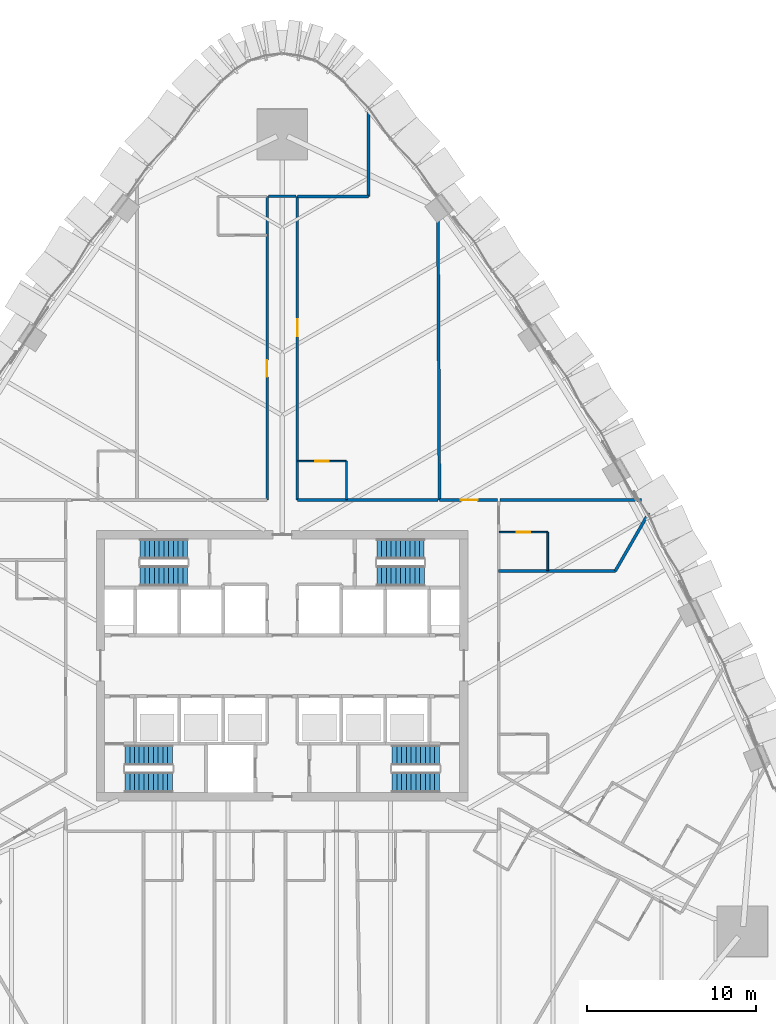
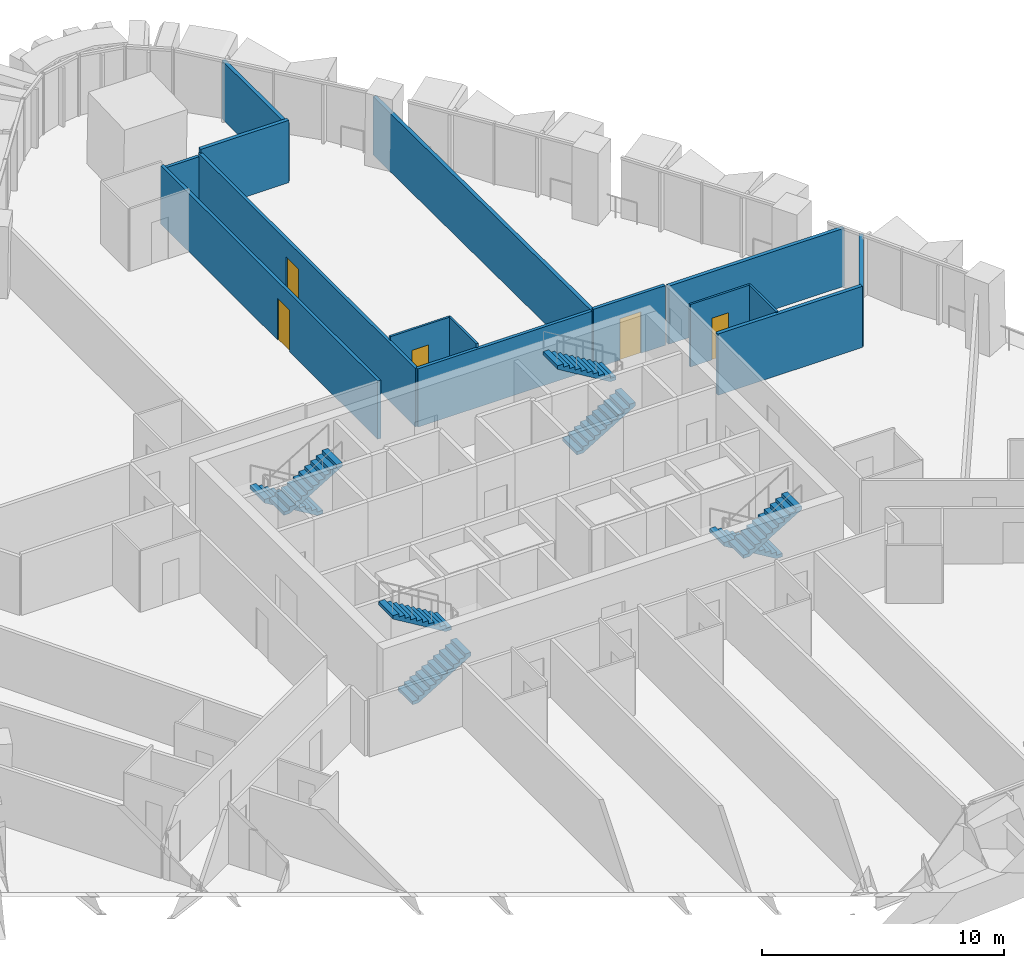
# One storey, part 19 of 27: 15 walls, 8 stair flights, 5 doors, 5 openings, 4 elements without a shape of their own.
"""IFC4 building model written with IfcOpenShell, lengths in metres."""

from ifc_helpers import new_model, si_unit, direction, frame, frame_2d, origin, place, context, subcontext, project, spatial, polyline, rectangle, outline, extrude, material, layer, layer_set, type_object, element, fill, aggregate, save


model = new_model("IFC4")

# Units and contexts
model_context = context("Model", 3, precision=1e-05, world=origin(), true_north=direction((0.0, 1.0)))
body_context = subcontext(model_context, "Body", "Model", "MODEL_VIEW")
ifc_project = project(units=[si_unit("LENGTHUNIT", "METRE"), si_unit("AREAUNIT", "SQUARE_METRE"), si_unit("VOLUMEUNIT", "CUBIC_METRE"), si_unit("PLANEANGLEUNIT", "RADIAN"), si_unit("MASSUNIT", "GRAM", prefix="KILO")], contexts=[model_context])

# Site, building, storey
site_placement = place(None, origin())
site = spatial("IfcSite", under=ifc_project, at=site_placement, CompositionType="ELEMENT")
building_placement = place(site_placement, origin())
building = spatial("IfcBuilding", under=site, at=building_placement, Name="Sierra Prisma Convention Tower", CompositionType="ELEMENT")
storey_placement = place(building_placement, frame((0.0, 0.0, 48.0)))
storey = spatial("IfcBuildingStorey", under=building, at=storey_placement, Name="L07", CompositionType="ELEMENT", Elevation=48.0)

# Wall, opening, door
ifc_material_1 = material(Name="Gypsum board partition", Category="gypsum")
ifc_layer_1 = layer(ifc_material_1, 0.10009765625)
ifc_layer_set_1 = layer_set([ifc_layer_1], Name="Bathroom partition 100")
wall_type_1 = type_object("IfcWallType", Name="Bathroom partition 100", PredefinedType="PARTITIONING", material=ifc_layer_set_1)
wall_1_placement = place(storey_placement, frame((0.929931640625, 12.10009765625, 0.0), z_axis=(0.0, 0.0, 1.0), x_axis=(1.0, 0.0, 0.0)))
wall_1 = element("IfcWall", 1, at=wall_1_placement, inside=storey, type_object=wall_type_1, Name="Partition L07 bath 23", PredefinedType="PARTITIONING", context=body_context, shape_type="SweptSolid", body=[
    extrude(rectangle(XDim=2.8701171875, YDim=0.10009765625, at=frame_2d((1.43505859375, 0.0))), origin(), (0.0, 0.0, 1.0), 3.14990234375),
])
opening_1_placement = place(wall_1_placement, frame((1.034912109375, 0.0, 0.0)))
opening_1 = element("IfcOpeningElement", 2, at=opening_1_placement, cuts=wall_1, Name="Opening L07-D003", PredefinedType="OPENING", context=body_context, shape_type="SweptSolid", body=[
    extrude(rectangle(XDim=0.800048828125, YDim=2.10009765625, at=frame_2d((0.39990234375, 1.050048828125))), frame((0.0, 0.050048828125, 0.0), z_axis=(0.0, -1.0, 0.0), x_axis=(1.0, 0.0, 0.0)), (0.0, 0.0, 1.0), 0.10009765625),
])
ifc_material_2 = material(Name="Solid core timber door leaf", Category="wood")
door_type_1 = type_object("IfcDoorType", Name="Door 800x2100 plain", OperationType="SINGLE_SWING_LEFT", PredefinedType="DOOR", material=ifc_material_2)
door_1_placement = place(opening_1_placement, origin())
door_1 = element("IfcDoor", 3, at=door_1_placement, inside=storey, type_object=door_type_1, Name="Door L07 7", OperationType="SINGLE_SWING_LEFT", OverallHeight=2.10009765625, OverallWidth=0.800048828125, PredefinedType="DOOR", context=body_context, shape_type="SweptSolid", body=[
    extrude(rectangle(XDim=0.800048828125, YDim=2.10009765625, at=frame_2d((0.39990234375, 1.050048828125))), frame((0.0, 0.02490234375, 0.0), z_axis=(0.0, -1.0, 0.0), x_axis=(1.0, 0.0, 0.0)), (0.0, 0.0, 1.0), 0.050048828125),
])
fill(opening_1, door_1)

# Wall
wall_2_placement = place(storey_placement, frame((3.800048828125, 12.10009765625, 0.0), z_axis=(0.0, 0.0, 1.0), x_axis=(0.0, -1.0, 0.0)))
element("IfcWall", 4, at=wall_2_placement, inside=storey, type_object=wall_type_1, Name="Partition L07 bath 24", PredefinedType="PARTITIONING", context=body_context, shape_type="SweptSolid", body=[
    extrude(rectangle(XDim=2.27001953125, YDim=0.10009765625, at=frame_2d((1.135009765625, 0.0))), origin(), (0.0, 0.0, 1.0), 3.14990234375),
])

# Wall, opening, door
wall_3_placement = place(storey_placement, frame((12.830078125, 7.89990234375, 0.0), z_axis=(0.0, 0.0, 1.0), x_axis=(1.0, 0.0, 0.0)))
wall_3 = element("IfcWall", 5, at=wall_3_placement, inside=storey, type_object=wall_type_1, Name="Partition L07 bath 33", PredefinedType="PARTITIONING", context=body_context, shape_type="SweptSolid", body=[
    extrude(rectangle(XDim=2.869873046875, YDim=0.10009765625, at=frame_2d((1.43505859375, 0.0))), origin(), (0.0, 0.0, 1.0), 3.14990234375),
])
opening_2_placement = place(wall_3_placement, frame((1.034912109375, 0.0, 0.0)))
opening_2 = element("IfcOpeningElement", 6, at=opening_2_placement, cuts=wall_3, Name="Opening L07-D002", PredefinedType="OPENING", context=body_context, shape_type="SweptSolid", body=[
    extrude(rectangle(XDim=0.800048828125, YDim=2.10009765625, at=frame_2d((0.39990234375, 1.050048828125))), frame((0.0, 0.050048828125, 0.0), z_axis=(0.0, -1.0, 0.0), x_axis=(1.0, 0.0, 0.0)), (0.0, 0.0, 1.0), 0.10009765625),
])
door_2_placement = place(opening_2_placement, origin())
door_2 = element("IfcDoor", 7, at=door_2_placement, inside=storey, type_object=door_type_1, Name="Door L07 4", OperationType="SINGLE_SWING_RIGHT", OverallHeight=2.10009765625, OverallWidth=0.800048828125, PredefinedType="DOOR", context=body_context, shape_type="SweptSolid", body=[
    extrude(rectangle(XDim=0.800048828125, YDim=2.10009765625, at=frame_2d((0.39990234375, 1.050048828125))), frame((0.0, 0.02490234375, 0.0), z_axis=(0.0, -1.0, 0.0), x_axis=(1.0, 0.0, 0.0)), (0.0, 0.0, 1.0), 0.050048828125),
])
fill(opening_2, door_2)

# Wall
wall_4_placement = place(storey_placement, frame((15.699951171875, 7.89990234375, 0.0), z_axis=(0.0, 0.0, 1.0), x_axis=(0.0, -1.0, 0.0)))
element("IfcWall", 8, at=wall_4_placement, inside=storey, type_object=wall_type_1, Name="Partition L07 bath 34", PredefinedType="PARTITIONING", context=body_context, shape_type="SweptSolid", body=[
    extrude(rectangle(XDim=2.27001953125, YDim=0.10009765625, at=frame_2d((1.135009765625, 0.0))), origin(), (0.0, 0.0, 1.0), 3.14990234375),
])

# Wall, opening, door
ifc_material_3 = material(Name="Gypsum board partition", Category="gypsum")
ifc_layer_2 = layer(ifc_material_3, 0.14990234375)
ifc_layer_set_2 = layer_set([ifc_layer_2], Name="Corridor wall 150 gypsum EI 60")
wall_type_2 = type_object("IfcWallType", Name="Corridor wall 150 gypsum EI 60", PredefinedType="PARTITIONING", material=ifc_layer_set_2)
wall_5_placement = place(storey_placement, frame((-0.89990234375, 27.756103515625, 0.0), z_axis=(0.0, 0.0, 1.0), x_axis=(0.0, -1.0, 0.0)))
wall_5 = element("IfcWall", 9, at=wall_5_placement, inside=storey, type_object=wall_type_2, Name="Partition L07 corr 8", PredefinedType="PARTITIONING", context=body_context, shape_type="SweptSolid", body=[
    extrude(rectangle(XDim=17.9560546875, YDim=0.14990234375, at=frame_2d((8.97802734375, 0.0))), origin(), (0.0, 0.0, 1.0), 2.947021484375),
])
opening_3_placement = place(wall_5_placement, frame((9.677978515625, 0.0, 0.0)))
opening_3 = element("IfcOpeningElement", 10, at=opening_3_placement, cuts=wall_5, Name="Opening L07-D043", PredefinedType="OPENING", context=body_context, shape_type="SweptSolid", body=[
    extrude(rectangle(XDim=1.0, YDim=2.10009765625, at=frame_2d((0.5, 1.050048828125))), frame((0.0, 0.074951171875, 0.0), z_axis=(0.0, -1.0, 0.0), x_axis=(1.0, 0.0, 0.0)), (0.0, 0.0, 1.0), 0.14990234375),
])
ifc_material_4 = material(Name="Steel fire door leaf", Category="steel")
door_type_2 = type_object("IfcDoorType", Name="Door 1000x2100 FD30S", OperationType="SINGLE_SWING_LEFT", PredefinedType="DOOR", material=ifc_material_4)
door_3_placement = place(opening_3_placement, origin())
door_3 = element("IfcDoor", 11, at=door_3_placement, inside=storey, type_object=door_type_2, Name="Door L07 8", OperationType="SINGLE_SWING_RIGHT", OverallHeight=2.10009765625, OverallWidth=1.0, PredefinedType="DOOR", context=body_context, shape_type="SweptSolid", body=[
    extrude(rectangle(XDim=1.0, YDim=2.10009765625, at=frame_2d((0.5, 1.050048828125))), frame((0.0, 0.02490234375, 0.0), z_axis=(0.0, -1.0, 0.0), x_axis=(1.0, 0.0, 0.0)), (0.0, 0.0, 1.0), 0.050048828125),
])
fill(opening_3, door_3)

# Walls
wall_6_placement = place(storey_placement, frame((0.820068359375, 27.756103515625, 0.0), z_axis=(0.0, 0.0, 1.0), x_axis=(-1.0, 0.0, 0.0)))
element("IfcWall", 12, at=wall_6_placement, inside=storey, type_object=wall_type_2, Name="Partition L07 corr 10", PredefinedType="PARTITIONING", context=body_context, shape_type="SweptSolid", body=[
    extrude(rectangle(XDim=1.64013671875, YDim=0.14990234375, at=frame_2d((0.820068359375, 0.0))), origin(), (0.0, 0.0, 1.0), 2.797119140625),
])
wall_7_placement = place(storey_placement, frame((9.219970703125, 9.800048828125, 0.0), z_axis=(0.0, 0.0, 1.0), x_axis=(-1.0, 0.0, 0.0)))
element("IfcWall", 13, at=wall_7_placement, inside=storey, type_object=wall_type_2, Name="Partition L07 corr 11", PredefinedType="PARTITIONING", context=body_context, shape_type="SweptSolid", body=[
    extrude(rectangle(XDim=8.320068359375, YDim=0.14990234375, at=frame_2d((4.16015625, 0.0))), origin(), (0.0, 0.0, 1.0), 2.947021484375),
])

# Wall, opening, door
wall_8_placement = place(storey_placement, frame((0.89990234375, 9.800048828125, 0.0), z_axis=(0.0, 0.0, 1.0), x_axis=(0.0, 1.0, 0.0)))
wall_8 = element("IfcWall", 14, at=wall_8_placement, inside=storey, type_object=wall_type_2, Name="Partition L07 corr 12", PredefinedType="PARTITIONING", context=body_context, shape_type="SweptSolid", body=[
    extrude(rectangle(XDim=17.9560546875, YDim=0.14990234375, at=frame_2d((8.97802734375, 0.0))), origin(), (0.0, 0.0, 1.0), 2.947021484375),
])
opening_4_placement = place(wall_8_placement, frame((9.677978515625, 0.0, 0.0)))
opening_4 = element("IfcOpeningElement", 15, at=opening_4_placement, cuts=wall_8, Name="Opening L07-D042", PredefinedType="OPENING", context=body_context, shape_type="SweptSolid", body=[
    extrude(rectangle(XDim=1.0, YDim=2.10009765625, at=frame_2d((0.5, 1.050048828125))), frame((0.0, 0.074951171875, 0.0), z_axis=(0.0, -1.0, 0.0), x_axis=(1.0, 0.0, 0.0)), (0.0, 0.0, 1.0), 0.14990234375),
])
door_4_placement = place(opening_4_placement, origin())
door_4 = element("IfcDoor", 16, at=door_4_placement, inside=storey, type_object=door_type_2, Name="Door L07 6", OperationType="SINGLE_SWING_LEFT", OverallHeight=2.10009765625, OverallWidth=1.0, PredefinedType="DOOR", context=body_context, shape_type="SweptSolid", body=[
    extrude(rectangle(XDim=1.0, YDim=2.10009765625, at=frame_2d((0.5, 1.050048828125))), frame((0.0, 0.02490234375, 0.0), z_axis=(0.0, -1.0, 0.0), x_axis=(1.0, 0.0, 0.0)), (0.0, 0.0, 1.0), 0.050048828125),
])
fill(opening_4, door_4)

wall_9_placement = place(storey_placement, frame((12.719970703125, 9.800048828125, 0.0), z_axis=(0.0, 0.0, 1.0), x_axis=(-1.0, 0.0, 0.0)))
wall_9 = element("IfcWall", 17, at=wall_9_placement, inside=storey, type_object=wall_type_2, Name="Partition L07 corr 13", PredefinedType="PARTITIONING", context=body_context, shape_type="SweptSolid", body=[
    extrude(rectangle(XDim=3.419921875, YDim=0.14990234375, at=frame_2d((1.7099609375, 0.0))), origin(), (0.0, 0.0, 1.0), 3.01708984375),
])
opening_5_placement = place(wall_9_placement, frame((1.159912109375, 0.0, 0.0)))
opening_5 = element("IfcOpeningElement", 18, at=opening_5_placement, cuts=wall_9, Name="Opening L07-D041", PredefinedType="OPENING", context=body_context, shape_type="SweptSolid", body=[
    extrude(rectangle(XDim=1.0, YDim=2.10009765625, at=frame_2d((0.5, 1.050048828125))), frame((0.0, 0.074951171875, 0.0), z_axis=(0.0, -1.0, 0.0), x_axis=(1.0, 0.0, 0.0)), (0.0, 0.0, 1.0), 0.14990234375),
])
door_5_placement = place(opening_5_placement, origin())
door_5 = element("IfcDoor", 19, at=door_5_placement, inside=storey, type_object=door_type_2, Name="Door L07 5", OperationType="SINGLE_SWING_RIGHT", OverallHeight=2.10009765625, OverallWidth=1.0, PredefinedType="DOOR", context=body_context, shape_type="SweptSolid", body=[
    extrude(rectangle(XDim=1.0, YDim=2.10009765625, at=frame_2d((0.5, 1.050048828125))), frame((0.0, 0.02490234375, 0.0), z_axis=(0.0, -1.0, 0.0), x_axis=(1.0, 0.0, 0.0)), (0.0, 0.0, 1.0), 0.050048828125),
])
fill(opening_5, door_5)

# Walls
ifc_material_5 = material(Name="Acoustic gypsum board partition", Category="gypsum")
ifc_layer_3 = layer(ifc_material_5, 0.175048828125)
ifc_layer_set_3 = layer_set([ifc_layer_3], Name="Guest room party wall 175 acoustic EI 60")
wall_type_3 = type_object("IfcWallType", Name="Guest room party wall 175 acoustic EI 60", PredefinedType="PARTITIONING", material=ifc_layer_set_3)
wall_10_placement = place(storey_placement, frame((0.89990234375, 27.756103515625, 0.0), z_axis=(0.0, 0.0, 1.0), x_axis=(1.0, 0.0, 0.0)))
element("IfcWall", 20, at=wall_10_placement, inside=storey, type_object=wall_type_3, Name="Partition L07 hparty 14", PredefinedType="PARTITIONING", context=body_context, shape_type="SweptSolid", body=[
    extrude(rectangle(XDim=4.2001953125, YDim=0.175048828125, at=frame_2d((2.10009765625, 0.0))), origin(), (0.0, 0.0, 1.0), 3.14990234375),
])
wall_11_placement = place(storey_placement, frame((5.10009765625, 27.756103515625, 0.0), z_axis=(0.0, 0.0, 1.0), x_axis=(0.0, 1.0, 0.0)))
element("IfcWall", 21, at=wall_11_placement, inside=storey, type_object=wall_type_3, Name="Partition L07 hparty 15", PredefinedType="PARTITIONING", context=body_context, shape_type="SweptSolid", body=[
    extrude(rectangle(XDim=5.30615234375, YDim=0.175048828125, at=frame_2d((2.653076171875, 0.0))), origin(), (0.0, 0.0, 1.0), 2.93408203125),
])
wall_12_placement = place(storey_placement, frame((9.20556640625, 27.666748046875, 0.0), z_axis=(0.0, 0.0, 1.0), x_axis=(0.005288111679, -0.99998601784, 0.0)))
element("IfcWall", 22, at=wall_12_placement, inside=storey, type_object=wall_type_3, Name="Partition L07 hparty 18", PredefinedType="PARTITIONING", context=body_context, shape_type="SweptSolid", body=[
    extrude(rectangle(XDim=17.866943359375, YDim=0.175048828125, at=frame_2d((8.93359375, 0.0))), origin(), (0.0, 0.0, 1.0), 2.947021484375),
])
wall_13_placement = place(storey_placement, frame((12.800048828125, 5.60009765625, 0.0), z_axis=(0.0, 0.0, 1.0), x_axis=(1.0, 0.0, 0.0)))
element("IfcWall", 23, at=wall_13_placement, inside=storey, type_object=wall_type_3, Name="Partition L07 hparty 21", PredefinedType="PARTITIONING", context=body_context, shape_type="SweptSolid", body=[
    extrude(rectangle(XDim=6.899658203125, YDim=0.175048828125, at=frame_2d((3.44970703125, 0.0))), origin(), (0.0, 0.0, 1.0), 3.093017578125),
])
wall_14_placement = place(storey_placement, frame((19.69970703125, 5.60009765625, 0.0), z_axis=(0.0, 0.0, 1.0), x_axis=(0.500045167768, 0.865999324591, 0.0)))
element("IfcWall", 24, at=wall_14_placement, inside=storey, type_object=wall_type_3, Name="Partition L07 hparty 22", PredefinedType="PARTITIONING", context=body_context, shape_type="SweptSolid", body=[
    extrude(rectangle(XDim=3.972900390625, YDim=0.175048828125, at=frame_2d((1.986328125, 0.0))), origin(), (0.0, 0.0, 1.0), 2.93408203125),
])
wall_15_placement = place(storey_placement, frame((12.8798828125, 9.800048828125, 0.0), z_axis=(0.0, 0.0, 1.0), x_axis=(1.0, 0.0, 0.0)))
element("IfcWall", 25, at=wall_15_placement, inside=storey, type_object=wall_type_3, Name="Partition L07 hparty 23", PredefinedType="PARTITIONING", context=body_context, shape_type="SweptSolid", body=[
    extrude(rectangle(XDim=8.384521484375, YDim=0.175048828125, at=frame_2d((4.1923828125, 0.0))), origin(), (0.0, 0.0, 1.0), 2.93408203125),
])

# Stair, stair flights
ifc_material_6 = material(Name="Concrete C30/37", Category="concrete")
stair_type = type_object("IfcStairType", Name="Stair dog-leg 1200 RC", PredefinedType="HALF_TURN_STAIR", material=ifc_material_6)
stair_1_placement = place(storey_placement, origin())
stair_1 = element("IfcStair", 26, at=stair_1_placement, inside=storey, type_object=stair_type, Name="L07 S1", PredefinedType="HALF_TURN_STAIR")
ifc_material_7 = material(Name="Concrete C30/37", Category="concrete")
stair_flight_type = type_object("IfcStairFlightType", Name="Stair flight RC 1200", PredefinedType="STRAIGHT", material=ifc_material_7)
stair_flight_1_placement = place(storey_placement, frame((-9.300048828125, -6.89990234375, 0.0), z_axis=(0.0, 0.0, 1.0), x_axis=(1.0, 0.0, 0.0)))
stair_flight_1 = element("IfcStairFlight", 27, at=stair_flight_1_placement, type_object=stair_flight_type, Name="S1 flight 1", NumberOfRisers=11, NumberOfTreads=10, PredefinedType="STRAIGHT", RiserHeight=0.168181818, TreadLength=0.28, context=body_context, shape_type="SweptSolid", body=[
    extrude(outline(polyline([(0.0, 0.0), (0.0, 0.168212890625), (0.280029296875, 0.168212890625), (0.280029296875, 0.33642578125), (0.56005859375, 0.33642578125), (0.56005859375, 0.504638671875), (0.840087890625, 0.504638671875), (0.840087890625, 0.672607421875), (1.1201171875, 0.672607421875), (1.1201171875, 0.8408203125), (1.39990234375, 0.8408203125), (1.39990234375, 1.009033203125), (1.679931640625, 1.009033203125), (1.679931640625, 1.17724609375), (1.9599609375, 1.17724609375), (1.9599609375, 1.345458984375), (2.239990234375, 1.345458984375), (2.239990234375, 1.513671875), (2.52001953125, 1.513671875), (2.52001953125, 1.681884765625), (2.800048828125, 1.681884765625), (2.800048828125, 1.85009765625), (2.800048828125, 1.5068359375), (0.291015625, 0.0), (0.0, 0.0)])), frame((0.0, 0.60009765625, 0.0), z_axis=(0.0, -1.0, 0.0), x_axis=(1.0, 0.0, 0.0)), (0.0, 0.0, 1.0), 1.199951171875),
])
stair_flight_2_placement = place(storey_placement, frame((-6.5, -5.300048828125, 1.85009765625), z_axis=(0.0, 0.0, 1.0), x_axis=(-1.0, 0.0, 0.0)))
stair_flight_2 = element("IfcStairFlight", 28, at=stair_flight_2_placement, type_object=stair_flight_type, Name="S1 flight 2", NumberOfRisers=11, NumberOfTreads=10, PredefinedType="STRAIGHT", RiserHeight=0.168181818, TreadLength=0.28, context=body_context, shape_type="SweptSolid", body=[
    extrude(outline(polyline([(0.0, 0.0), (0.0, 0.168212890625), (0.280029296875, 0.168212890625), (0.280029296875, 0.33642578125), (0.56005859375, 0.33642578125), (0.56005859375, 0.504638671875), (0.840087890625, 0.504638671875), (0.840087890625, 0.672607421875), (1.1201171875, 0.672607421875), (1.1201171875, 0.8408203125), (1.39990234375, 0.8408203125), (1.39990234375, 1.009033203125), (1.679931640625, 1.009033203125), (1.679931640625, 1.17724609375), (1.9599609375, 1.17724609375), (1.9599609375, 1.345458984375), (2.239990234375, 1.345458984375), (2.239990234375, 1.513671875), (2.52001953125, 1.513671875), (2.52001953125, 1.681884765625), (2.800048828125, 1.681884765625), (2.800048828125, 1.85009765625), (2.800048828125, 1.5068359375), (0.291015625, 0.0), (0.0, 0.0)])), frame((0.0, 0.60009765625, 0.0), z_axis=(0.0, -1.0, 0.0), x_axis=(1.0, 0.0, 0.0)), (0.0, 0.0, 1.0), 1.199951171875),
])
aggregate(stair_1, [stair_flight_1, stair_flight_2])

stair_2_placement = place(storey_placement, origin())
stair_2 = element("IfcStair", 29, at=stair_2_placement, inside=storey, type_object=stair_type, Name="L07 S2", PredefinedType="HALF_TURN_STAIR")
stair_flight_3_placement = place(storey_placement, frame((9.300048828125, -5.300048828125, 0.0), z_axis=(0.0, 0.0, 1.0), x_axis=(-1.0, 0.0, 0.0)))
stair_flight_3 = element("IfcStairFlight", 30, at=stair_flight_3_placement, type_object=stair_flight_type, Name="S2 flight 1", NumberOfRisers=11, NumberOfTreads=10, PredefinedType="STRAIGHT", RiserHeight=0.168181818, TreadLength=0.28, context=body_context, shape_type="SweptSolid", body=[
    extrude(outline(polyline([(0.0, 0.0), (0.0, 0.168212890625), (0.280029296875, 0.168212890625), (0.280029296875, 0.33642578125), (0.56005859375, 0.33642578125), (0.56005859375, 0.504638671875), (0.840087890625, 0.504638671875), (0.840087890625, 0.672607421875), (1.1201171875, 0.672607421875), (1.1201171875, 0.8408203125), (1.39990234375, 0.8408203125), (1.39990234375, 1.009033203125), (1.679931640625, 1.009033203125), (1.679931640625, 1.17724609375), (1.9599609375, 1.17724609375), (1.9599609375, 1.345458984375), (2.239990234375, 1.345458984375), (2.239990234375, 1.513671875), (2.52001953125, 1.513671875), (2.52001953125, 1.681884765625), (2.800048828125, 1.681884765625), (2.800048828125, 1.85009765625), (2.800048828125, 1.5068359375), (0.291015625, 0.0), (0.0, 0.0)])), frame((0.0, 0.60009765625, 0.0), z_axis=(0.0, -1.0, 0.0), x_axis=(1.0, 0.0, 0.0)), (0.0, 0.0, 1.0), 1.199951171875),
])
stair_flight_4_placement = place(storey_placement, frame((6.5, -6.89990234375, 1.85009765625), z_axis=(0.0, 0.0, 1.0), x_axis=(1.0, 0.0, 0.0)))
stair_flight_4 = element("IfcStairFlight", 31, at=stair_flight_4_placement, type_object=stair_flight_type, Name="S2 flight 2", NumberOfRisers=11, NumberOfTreads=10, PredefinedType="STRAIGHT", RiserHeight=0.168181818, TreadLength=0.28, context=body_context, shape_type="SweptSolid", body=[
    extrude(outline(polyline([(0.0, 0.0), (0.0, 0.168212890625), (0.280029296875, 0.168212890625), (0.280029296875, 0.33642578125), (0.56005859375, 0.33642578125), (0.56005859375, 0.504638671875), (0.840087890625, 0.504638671875), (0.840087890625, 0.672607421875), (1.1201171875, 0.672607421875), (1.1201171875, 0.8408203125), (1.39990234375, 0.8408203125), (1.39990234375, 1.009033203125), (1.679931640625, 1.009033203125), (1.679931640625, 1.17724609375), (1.9599609375, 1.17724609375), (1.9599609375, 1.345458984375), (2.239990234375, 1.345458984375), (2.239990234375, 1.513671875), (2.52001953125, 1.513671875), (2.52001953125, 1.681884765625), (2.800048828125, 1.681884765625), (2.800048828125, 1.85009765625), (2.800048828125, 1.5068359375), (0.291015625, 0.0), (0.0, 0.0)])), frame((0.0, 0.60009765625, 0.0), z_axis=(0.0, -1.0, 0.0), x_axis=(1.0, 0.0, 0.0)), (0.0, 0.0, 1.0), 1.199951171875),
])
aggregate(stair_2, [stair_flight_3, stair_flight_4])

stair_3_placement = place(storey_placement, origin())
stair_3 = element("IfcStair", 32, at=stair_3_placement, inside=storey, type_object=stair_type, Name="L07 S3", PredefinedType="HALF_TURN_STAIR")
stair_flight_5_placement = place(storey_placement, frame((-5.60009765625, 6.89990234375, 0.0), z_axis=(0.0, 0.0, 1.0), x_axis=(-1.0, 0.0, 0.0)))
stair_flight_5 = element("IfcStairFlight", 33, at=stair_flight_5_placement, type_object=stair_flight_type, Name="S3 flight 1", NumberOfRisers=11, NumberOfTreads=10, PredefinedType="STRAIGHT", RiserHeight=0.168181818, TreadLength=0.28, context=body_context, shape_type="SweptSolid", body=[
    extrude(outline(polyline([(0.0, 0.0), (0.0, 0.168212890625), (0.280029296875, 0.168212890625), (0.280029296875, 0.33642578125), (0.56005859375, 0.33642578125), (0.56005859375, 0.504638671875), (0.840087890625, 0.504638671875), (0.840087890625, 0.672607421875), (1.1201171875, 0.672607421875), (1.1201171875, 0.8408203125), (1.39990234375, 0.8408203125), (1.39990234375, 1.009033203125), (1.679931640625, 1.009033203125), (1.679931640625, 1.17724609375), (1.9599609375, 1.17724609375), (1.9599609375, 1.345458984375), (2.239990234375, 1.345458984375), (2.239990234375, 1.513671875), (2.52001953125, 1.513671875), (2.52001953125, 1.681884765625), (2.800048828125, 1.681884765625), (2.800048828125, 1.85009765625), (2.800048828125, 1.5068359375), (0.291015625, 0.0), (0.0, 0.0)])), frame((0.0, 0.60009765625, 0.0), z_axis=(0.0, -1.0, 0.0), x_axis=(1.0, 0.0, 0.0)), (0.0, 0.0, 1.0), 1.199951171875),
])
stair_flight_6_placement = place(storey_placement, frame((-8.39990234375, 5.300048828125, 1.85009765625), z_axis=(0.0, 0.0, 1.0), x_axis=(1.0, 0.0, 0.0)))
stair_flight_6 = element("IfcStairFlight", 34, at=stair_flight_6_placement, type_object=stair_flight_type, Name="S3 flight 2", NumberOfRisers=11, NumberOfTreads=10, PredefinedType="STRAIGHT", RiserHeight=0.168181818, TreadLength=0.28, context=body_context, shape_type="SweptSolid", body=[
    extrude(outline(polyline([(0.0, 0.0), (0.0, 0.168212890625), (0.280029296875, 0.168212890625), (0.280029296875, 0.33642578125), (0.56005859375, 0.33642578125), (0.56005859375, 0.504638671875), (0.840087890625, 0.504638671875), (0.840087890625, 0.672607421875), (1.1201171875, 0.672607421875), (1.1201171875, 0.8408203125), (1.39990234375, 0.8408203125), (1.39990234375, 1.009033203125), (1.679931640625, 1.009033203125), (1.679931640625, 1.17724609375), (1.9599609375, 1.17724609375), (1.9599609375, 1.345458984375), (2.239990234375, 1.345458984375), (2.239990234375, 1.513671875), (2.52001953125, 1.513671875), (2.52001953125, 1.681884765625), (2.800048828125, 1.681884765625), (2.800048828125, 1.85009765625), (2.800048828125, 1.5068359375), (0.291015625, 0.0), (0.0, 0.0)])), frame((0.0, 0.60009765625, 0.0), z_axis=(0.0, -1.0, 0.0), x_axis=(1.0, 0.0, 0.0)), (0.0, 0.0, 1.0), 1.199951171875),
])
aggregate(stair_3, [stair_flight_5, stair_flight_6])

stair_4_placement = place(storey_placement, origin())
stair_4 = element("IfcStair", 35, at=stair_4_placement, inside=storey, type_object=stair_type, Name="L07 S4", PredefinedType="HALF_TURN_STAIR")
stair_flight_7_placement = place(storey_placement, frame((5.60009765625, 5.300048828125, 0.0), z_axis=(0.0, 0.0, 1.0), x_axis=(1.0, 0.0, 0.0)))
stair_flight_7 = element("IfcStairFlight", 36, at=stair_flight_7_placement, type_object=stair_flight_type, Name="S4 flight 1", NumberOfRisers=11, NumberOfTreads=10, PredefinedType="STRAIGHT", RiserHeight=0.168181818, TreadLength=0.28, context=body_context, shape_type="SweptSolid", body=[
    extrude(outline(polyline([(0.0, 0.0), (0.0, 0.168212890625), (0.280029296875, 0.168212890625), (0.280029296875, 0.33642578125), (0.56005859375, 0.33642578125), (0.56005859375, 0.504638671875), (0.840087890625, 0.504638671875), (0.840087890625, 0.672607421875), (1.1201171875, 0.672607421875), (1.1201171875, 0.8408203125), (1.39990234375, 0.8408203125), (1.39990234375, 1.009033203125), (1.679931640625, 1.009033203125), (1.679931640625, 1.17724609375), (1.9599609375, 1.17724609375), (1.9599609375, 1.345458984375), (2.239990234375, 1.345458984375), (2.239990234375, 1.513671875), (2.52001953125, 1.513671875), (2.52001953125, 1.681884765625), (2.800048828125, 1.681884765625), (2.800048828125, 1.85009765625), (2.800048828125, 1.5068359375), (0.291015625, 0.0), (0.0, 0.0)])), frame((0.0, 0.60009765625, 0.0), z_axis=(0.0, -1.0, 0.0), x_axis=(1.0, 0.0, 0.0)), (0.0, 0.0, 1.0), 1.199951171875),
])
stair_flight_8_placement = place(storey_placement, frame((8.39990234375, 6.89990234375, 1.85009765625), z_axis=(0.0, 0.0, 1.0), x_axis=(-1.0, 0.0, 0.0)))
stair_flight_8 = element("IfcStairFlight", 37, at=stair_flight_8_placement, type_object=stair_flight_type, Name="S4 flight 2", NumberOfRisers=11, NumberOfTreads=10, PredefinedType="STRAIGHT", RiserHeight=0.168181818, TreadLength=0.28, context=body_context, shape_type="SweptSolid", body=[
    extrude(outline(polyline([(0.0, 0.0), (0.0, 0.168212890625), (0.280029296875, 0.168212890625), (0.280029296875, 0.33642578125), (0.56005859375, 0.33642578125), (0.56005859375, 0.504638671875), (0.840087890625, 0.504638671875), (0.840087890625, 0.672607421875), (1.1201171875, 0.672607421875), (1.1201171875, 0.8408203125), (1.39990234375, 0.8408203125), (1.39990234375, 1.009033203125), (1.679931640625, 1.009033203125), (1.679931640625, 1.17724609375), (1.9599609375, 1.17724609375), (1.9599609375, 1.345458984375), (2.239990234375, 1.345458984375), (2.239990234375, 1.513671875), (2.52001953125, 1.513671875), (2.52001953125, 1.681884765625), (2.800048828125, 1.681884765625), (2.800048828125, 1.85009765625), (2.800048828125, 1.5068359375), (0.291015625, 0.0), (0.0, 0.0)])), frame((0.0, 0.60009765625, 0.0), z_axis=(0.0, -1.0, 0.0), x_axis=(1.0, 0.0, 0.0)), (0.0, 0.0, 1.0), 1.199951171875),
])
aggregate(stair_4, [stair_flight_7, stair_flight_8])

save(model, "model.ifc")
